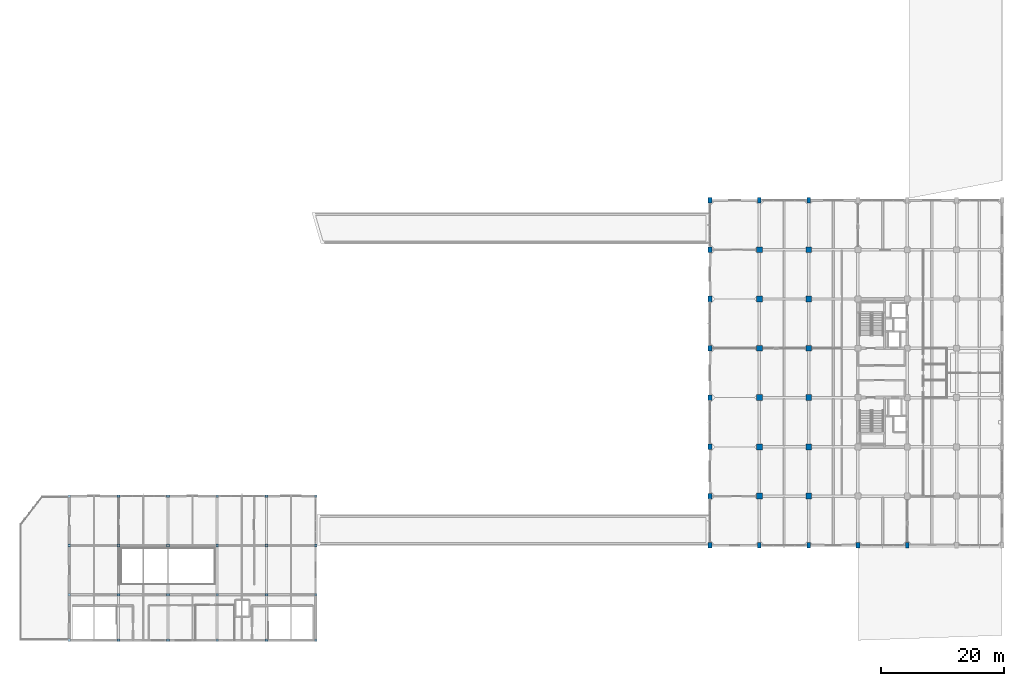
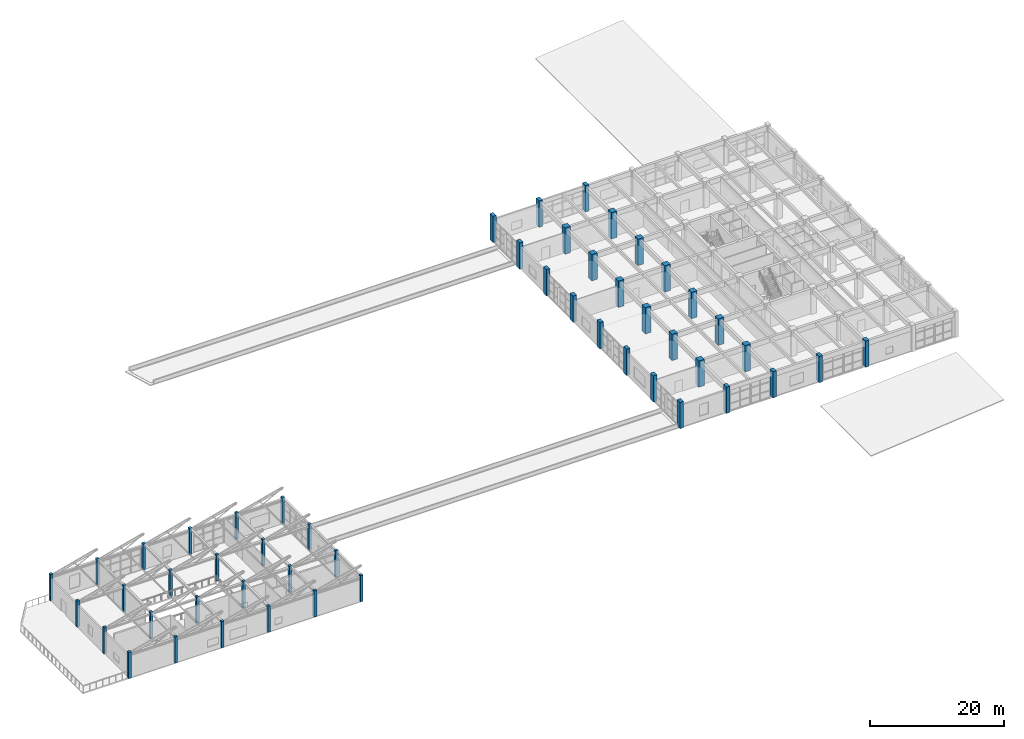
# One storey, part 1 of 63: 50 columns.
"""IFC4 building model written with IfcOpenShell, lengths in metres."""

from ifc_helpers import new_model, si_unit, direction, frame, origin, origin_2d, place, context, subcontext, project, spatial, rectangle, extrude, material, material_profile, profile_set, type_object, element, save


model = new_model("IFC4")

# Units and contexts
model_context = context("Model", 3, precision=1e-05, world=origin(), true_north=direction((0.0, 1.0)))
body_context = subcontext(model_context, "Body", "Model", "MODEL_VIEW")
ifc_project = project(units=[si_unit("LENGTHUNIT", "METRE"), si_unit("AREAUNIT", "SQUARE_METRE"), si_unit("VOLUMEUNIT", "CUBIC_METRE"), si_unit("PLANEANGLEUNIT", "RADIAN"), si_unit("MASSUNIT", "GRAM", prefix="KILO")], contexts=[model_context])

# Site, building, storey
site_placement = place(None, origin())
site = spatial("IfcSite", under=ifc_project, at=site_placement, CompositionType="ELEMENT")
building_placement = place(site_placement, origin())
building = spatial("IfcBuilding", under=site, at=building_placement, Name="Canggui Botanical Conservatory", CompositionType="ELEMENT")
storey_placement = place(building_placement, frame((0.0, 0.0, 10.199951171875)))
storey = spatial("IfcBuildingStorey", under=building, at=storey_placement, Name="L03", CompositionType="ELEMENT", Elevation=10.199951171875)

# Columns
ifc_material_1 = material(Name="Concrete C50", Category="concrete")
ifc_material_profile_1 = material_profile(ifc_material_1, rectangle(XDim=0.949951171875, YDim=0.949951171875, at=origin_2d()), Name="RC 950x950")
ifc_profile_set_1 = profile_set([ifc_material_profile_1], Name="Concrete C50")
column_type_1 = type_object("IfcColumnType", Name="COL-KZ04", PredefinedType="COLUMN", material=ifc_profile_set_1)
for number, where, z_axis, x_axis, name in (
    (1, (138.0, 34.0, 0.0), (0.0, 0.0, 1.0), (1.0, 0.0, 0.0), "Tower RC Column L03 (138,34)"),
    (2, (138.0, 42.0, 0.0), (0.0, 0.0, 1.0), (1.0, 0.0, 0.0), "Tower RC Column L03 (138,42)"),
    (3, (138.0, 50.0, 0.0), (0.0, 0.0, 1.0), (1.0, 0.0, 0.0), "Tower RC Column L03 (138,50)"),
    (4, (138.0, 58.0, 0.0), (0.0, 0.0, 1.0), (1.0, 0.0, 0.0), "Tower RC Column L03 (138,58)"),
    (5, (138.0, 66.0, 0.0), (0.0, 0.0, 1.0), (1.0, 0.0, 0.0), "Tower RC Column L03 (138,66)"),
    (6, (138.0, 74.0, 0.0), (0.0, 0.0, 1.0), (1.0, 0.0, 0.0), "Tower RC Column L03 (138,74)"),
    (7, (146.0, 34.0, 0.0), (0.0, 0.0, 1.0), (1.0, 0.0, 0.0), "Tower RC Column L03 (146,34)"),
    (8, (146.0, 42.0, 0.0), (0.0, 0.0, 1.0), (1.0, 0.0, 0.0), "Tower RC Column L03 (146,42)"),
    (9, (146.0, 50.0, 0.0), (0.0, 0.0, 1.0), (1.0, 0.0, 0.0), "Tower RC Column L03 (146,50)"),
    (10, (146.0, 58.0, 0.0), (0.0, 0.0, 1.0), (1.0, 0.0, 0.0), "Tower RC Column L03 (146,58)"),
    (11, (146.0, 66.0, 0.0), (0.0, 0.0, 1.0), (1.0, 0.0, 0.0), "Tower RC Column L03 (146,66)"),
    (12, (146.0, 74.0, 0.0), (0.0, 0.0, 1.0), (1.0, 0.0, 0.0), "Tower RC Column L03 (146,74)"),
):
    element("IfcColumn", number, at=place(storey_placement, frame(where, z_axis=z_axis, x_axis=x_axis)), inside=storey, type_object=column_type_1, Name=name, PredefinedType="COLUMN", context=body_context, shape_type="SweptSolid", body=[
        extrude(rectangle(XDim=0.949951171875, YDim=0.949951171875, at=origin_2d()), origin(), (0.0, 0.0, 1.0), 4.800048828125),
    ])
ifc_material_2 = material(Name="Concrete C35", Category="concrete")
ifc_material_profile_2 = material_profile(ifc_material_2, rectangle(XDim=0.449951171875, YDim=0.449951171875, at=origin_2d()), Name="RC 450x450")
ifc_profile_set_2 = profile_set([ifc_material_profile_2], Name="Concrete C35")
column_type_2 = type_object("IfcColumnType", Name="COL-KZ14", PredefinedType="COLUMN", material=ifc_profile_set_2)
for number, where, z_axis, x_axis, name in (
    (13, (26.0, 10.60009765625, 0.0), (0.0, 0.0, 1.0), (1.0, 0.0, 0.0), "Visitor Centre Column L03 (26,10)"),
    (14, (26.0, 18.0, 0.0), (0.0, 0.0, 1.0), (1.0, 0.0, 0.0), "Visitor Centre Column L03 (26,18)"),
    (15, (26.0, 26.0, 0.0), (0.0, 0.0, 1.0), (1.0, 0.0, 0.0), "Visitor Centre Column L03 (26,26)"),
    (16, (26.0, 34.0, 0.0), (0.0, 0.0, 1.0), (1.0, 0.0, 0.0), "Visitor Centre Column L03 (26,34)"),
    (17, (34.0, 10.60009765625, 0.0), (0.0, 0.0, 1.0), (1.0, 0.0, 0.0), "Visitor Centre Column L03 (34,10)"),
    (18, (34.0, 18.0, 0.0), (0.0, 0.0, 1.0), (1.0, 0.0, 0.0), "Visitor Centre Column L03 (34,18)"),
    (19, (34.0, 26.0, 0.0), (0.0, 0.0, 1.0), (1.0, 0.0, 0.0), "Visitor Centre Column L03 (34,26)"),
    (20, (34.0, 34.0, 0.0), (0.0, 0.0, 1.0), (1.0, 0.0, 0.0), "Visitor Centre Column L03 (34,34)"),
    (21, (42.0, 10.60009765625, 0.0), (0.0, 0.0, 1.0), (1.0, 0.0, 0.0), "Visitor Centre Column L03 (42,10)"),
    (22, (42.0, 18.0, 0.0), (0.0, 0.0, 1.0), (1.0, 0.0, 0.0), "Visitor Centre Column L03 (42,18)"),
    (23, (42.0, 26.0, 0.0), (0.0, 0.0, 1.0), (1.0, 0.0, 0.0), "Visitor Centre Column L03 (42,26)"),
    (24, (42.0, 34.0, 0.0), (0.0, 0.0, 1.0), (1.0, 0.0, 0.0), "Visitor Centre Column L03 (42,34)"),
    (25, (50.0, 10.60009765625, 0.0), (0.0, 0.0, 1.0), (1.0, 0.0, 0.0), "Visitor Centre Column L03 (50,10)"),
    (26, (50.0, 18.0, 0.0), (0.0, 0.0, 1.0), (1.0, 0.0, 0.0), "Visitor Centre Column L03 (50,18)"),
    (27, (50.0, 26.0, 0.0), (0.0, 0.0, 1.0), (1.0, 0.0, 0.0), "Visitor Centre Column L03 (50,26)"),
    (28, (50.0, 34.0, 0.0), (0.0, 0.0, 1.0), (1.0, 0.0, 0.0), "Visitor Centre Column L03 (50,34)"),
    (29, (58.0, 10.60009765625, 0.0), (0.0, 0.0, 1.0), (1.0, 0.0, 0.0), "Visitor Centre Column L03 (58,10)"),
    (30, (58.0, 18.0, 0.0), (0.0, 0.0, 1.0), (1.0, 0.0, 0.0), "Visitor Centre Column L03 (58,18)"),
    (31, (58.0, 26.0, 0.0), (0.0, 0.0, 1.0), (1.0, 0.0, 0.0), "Visitor Centre Column L03 (58,26)"),
    (32, (58.0, 34.0, 0.0), (0.0, 0.0, 1.0), (1.0, 0.0, 0.0), "Visitor Centre Column L03 (58,34)"),
    (33, (66.0, 10.60009765625, 0.0), (0.0, 0.0, 1.0), (1.0, 0.0, 0.0), "Visitor Centre Column L03 (66,10)"),
    (34, (66.0, 18.0, 0.0), (0.0, 0.0, 1.0), (1.0, 0.0, 0.0), "Visitor Centre Column L03 (66,18)"),
    (35, (66.0, 26.0, 0.0), (0.0, 0.0, 1.0), (1.0, 0.0, 0.0), "Visitor Centre Column L03 (66,26)"),
    (36, (66.0, 34.0, 0.0), (0.0, 0.0, 1.0), (1.0, 0.0, 0.0), "Visitor Centre Column L03 (66,34)"),
):
    element("IfcColumn", number, at=place(storey_placement, frame(where, z_axis=z_axis, x_axis=x_axis)), inside=storey, type_object=column_type_2, Name=name, PredefinedType="COLUMN", context=body_context, shape_type="SweptSolid", body=[
        extrude(rectangle(XDim=0.449951171875, YDim=0.449951171875, at=origin_2d()), origin(), (0.0, 0.0, 1.0), 4.800048828125),
    ])
ifc_material_profile_3 = material_profile(ifc_material_1, rectangle(XDim=0.60009765625, YDim=0.89990234375, at=origin_2d()), Name="RC 600x900")
ifc_profile_set_3 = profile_set([ifc_material_profile_3], Name="Concrete C50")
column_type_3 = type_object("IfcColumnType", Name="COL-KZ17", PredefinedType="COLUMN", material=ifc_profile_set_3)
for number, where, z_axis, x_axis, name in (
    (37, (130.0, 26.0, 0.0), (0.0, 0.0, 1.0), (1.0, 0.0, 0.0), "Tower RC Column L03 (130,26)"),
    (38, (130.0, 34.0, 0.0), (0.0, 0.0, 1.0), (1.0, 0.0, 0.0), "Tower RC Column L03 (130,34)"),
    (39, (130.0, 42.0, 0.0), (0.0, 0.0, 1.0), (1.0, 0.0, 0.0), "Tower RC Column L03 (130,42)"),
    (40, (130.0, 50.0, 0.0), (0.0, 0.0, 1.0), (1.0, 0.0, 0.0), "Tower RC Column L03 (130,50)"),
    (41, (130.0, 58.0, 0.0), (0.0, 0.0, 1.0), (1.0, 0.0, 0.0), "Tower RC Column L03 (130,58)"),
    (42, (130.0, 66.0, 0.0), (0.0, 0.0, 1.0), (1.0, 0.0, 0.0), "Tower RC Column L03 (130,66)"),
    (43, (130.0, 74.0, 0.0), (0.0, 0.0, 1.0), (1.0, 0.0, 0.0), "Tower RC Column L03 (130,74)"),
    (44, (130.0, 82.0, 0.0), (0.0, 0.0, 1.0), (1.0, 0.0, 0.0), "Tower RC Column L03 (130,82)"),
    (45, (138.0, 26.0, 0.0), (0.0, 0.0, 1.0), (1.0, 0.0, 0.0), "Tower RC Column L03 (138,26)"),
    (46, (138.0, 82.0, 0.0), (0.0, 0.0, 1.0), (1.0, 0.0, 0.0), "Tower RC Column L03 (138,82)"),
    (47, (146.0, 26.0, 0.0), (0.0, 0.0, 1.0), (1.0, 0.0, 0.0), "Tower RC Column L03 (146,26)"),
    (48, (146.0, 82.0, 0.0), (0.0, 0.0, 1.0), (1.0, 0.0, 0.0), "Tower RC Column L03 (146,82)"),
    (49, (154.0, 26.0, 0.0), (0.0, 0.0, 1.0), (1.0, 0.0, 0.0), "Tower RC Column L03 (154,26)"),
    (50, (162.0, 26.0, 0.0), (0.0, 0.0, 1.0), (1.0, 0.0, 0.0), "Tower RC Column L03 (162,26)"),
):
    element("IfcColumn", number, at=place(storey_placement, frame(where, z_axis=z_axis, x_axis=x_axis)), inside=storey, type_object=column_type_3, Name=name, PredefinedType="COLUMN", context=body_context, shape_type="SweptSolid", body=[
        extrude(rectangle(XDim=0.60009765625, YDim=0.89990234375, at=origin_2d()), origin(), (0.0, 0.0, 1.0), 4.800048828125),
    ])

save(model, "model.ifc")
